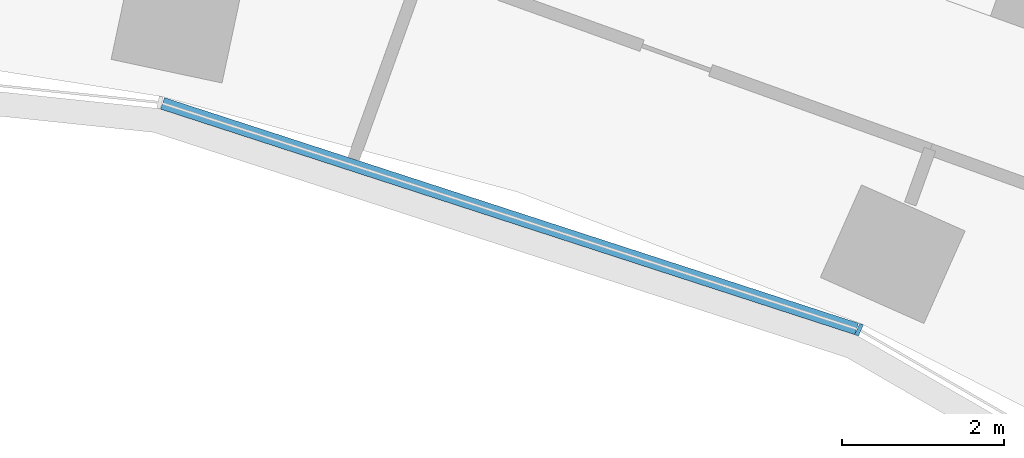
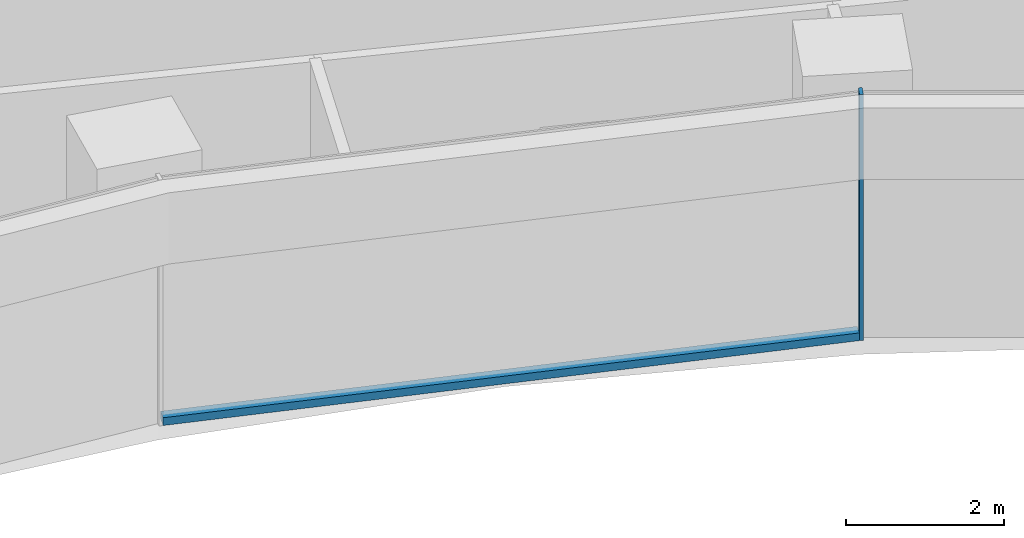
# One storey, part 9 of 21: 2 members, 1 element without a shape of its own.
"""IFC4 building model written with IfcOpenShell, lengths in metres."""

from ifc_helpers import new_model, si_unit, direction, frame, origin, origin_2d, place, context, subcontext, project, spatial, rectangle, extrude, material, layer, layer_set, material_profile, profile_set, type_object, element, aggregate, save


model = new_model("IFC4")

# Units and contexts
model_context = context("Model", 3, precision=1e-05, world=origin(), true_north=direction((0.0, 1.0)))
body_context = subcontext(model_context, "Body", "Model", "MODEL_VIEW")
ifc_project = project(units=[si_unit("LENGTHUNIT", "METRE"), si_unit("AREAUNIT", "SQUARE_METRE"), si_unit("VOLUMEUNIT", "CUBIC_METRE"), si_unit("PLANEANGLEUNIT", "RADIAN"), si_unit("MASSUNIT", "GRAM", prefix="KILO")], contexts=[model_context])

# Site, building, storey
site_placement = place(None, origin())
site = spatial("IfcSite", under=ifc_project, at=site_placement, CompositionType="ELEMENT")
building_placement = place(site_placement, origin())
building = spatial("IfcBuilding", under=site, at=building_placement, Name="Stone Belt Terrace Tower", CompositionType="ELEMENT")
storey_placement = place(building_placement, frame((0.0, 0.0, 49.0)))
storey = spatial("IfcBuildingStorey", under=building, at=storey_placement, Name="L11", CompositionType="ELEMENT", Elevation=49.0)

# Curtain wall, members
ifc_material = material(Name="Aluminium 6063-T6 anodised frame", Category="aluminium")
ifc_layer = layer(ifc_material, 0.14990234375)
ifc_layer_set = layer_set([ifc_layer], Name="CW-B unitised concave-face curtain wall")
curtain_wall_type = type_object("IfcCurtainWallType", Name="CW-B unitised concave-face curtain wall", PredefinedType="NOTDEFINED", material=ifc_layer_set)
curtain_wall_placement = place(storey_placement, origin())
curtain_wall = element("IfcCurtainWall", 1, at=curtain_wall_placement, inside=storey, type_object=curtain_wall_type, Name="CW-B concave face L11", PredefinedType="NOTDEFINED")
ifc_material_profile_1 = material_profile(ifc_material, rectangle(XDim=0.14990234375, YDim=0.050048828125, at=origin_2d()), Name="Aluminium 6063-T6 50x150")
ifc_profile_set_1 = profile_set([ifc_material_profile_1], Name="Aluminium 6063-T6 anodised frame")
member_type_1 = type_object("IfcMemberType", Name="CW-B mullion 50 x 150", PredefinedType="MULLION", material=ifc_profile_set_1)
member_1_placement = place(storey_placement, frame((17.662353515625, 39.67041015625, 0.0), z_axis=(0.0, 0.0, 1.0), x_axis=(0.406736643076, 0.913545457643, 0.0)))
member_1 = element("IfcMember", 2, at=member_1_placement, type_object=member_type_1, Name="CW-B mullion 8", PredefinedType="MULLION", context=body_context, shape_type="SweptSolid", body=[
    extrude(rectangle(XDim=0.14990234375, YDim=0.050048828125, at=origin_2d()), origin(), (0.0, 0.0, 1.0), 3.800048828125),
])
ifc_material_profile_2 = material_profile(ifc_material, rectangle(XDim=0.14990234375, YDim=0.1201171875, at=origin_2d()), Name="Aluminium 6063-T6 150x120")
ifc_profile_set_2 = profile_set([ifc_material_profile_2], Name="Aluminium 6063-T6 anodised frame")
member_type_2 = type_object("IfcMemberType", Name="CW-B transom 120 x 150", PredefinedType="USERDEFINED", material=ifc_profile_set_2)
member_2_placement = place(storey_placement, frame((9.0595703125, 42.465576171875, 0.06005859375), z_axis=(0.951055963285, -0.309018696359, 0.0), x_axis=(0.309018696359, 0.951055963285, 0.0)))
member_2 = element("IfcMember", 3, at=member_2_placement, type_object=member_type_2, Name="CW-B transom 7.1", ObjectType="TRANSOM", PredefinedType="USERDEFINED", context=body_context, shape_type="SweptSolid", body=[
    extrude(rectangle(XDim=0.14990234375, YDim=0.1201171875, at=origin_2d()), origin(), (0.0, 0.0, 1.0), 9.012939453125),
])
aggregate(curtain_wall, [member_1, member_2])

save(model, "model.ifc")
